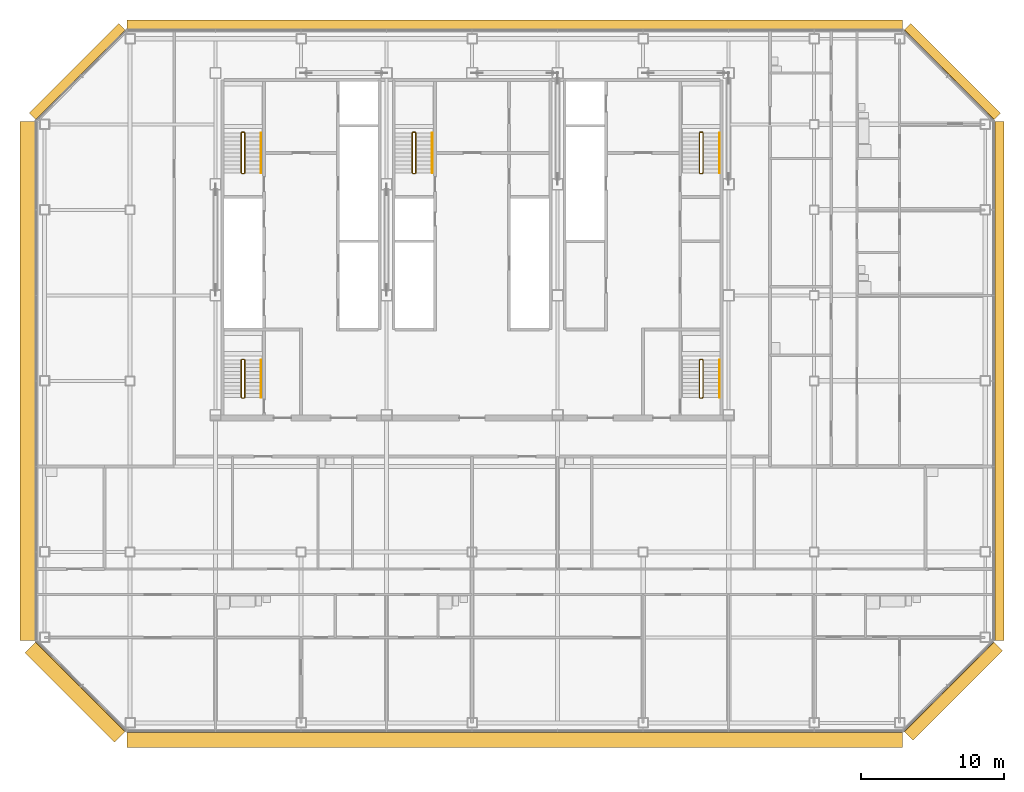
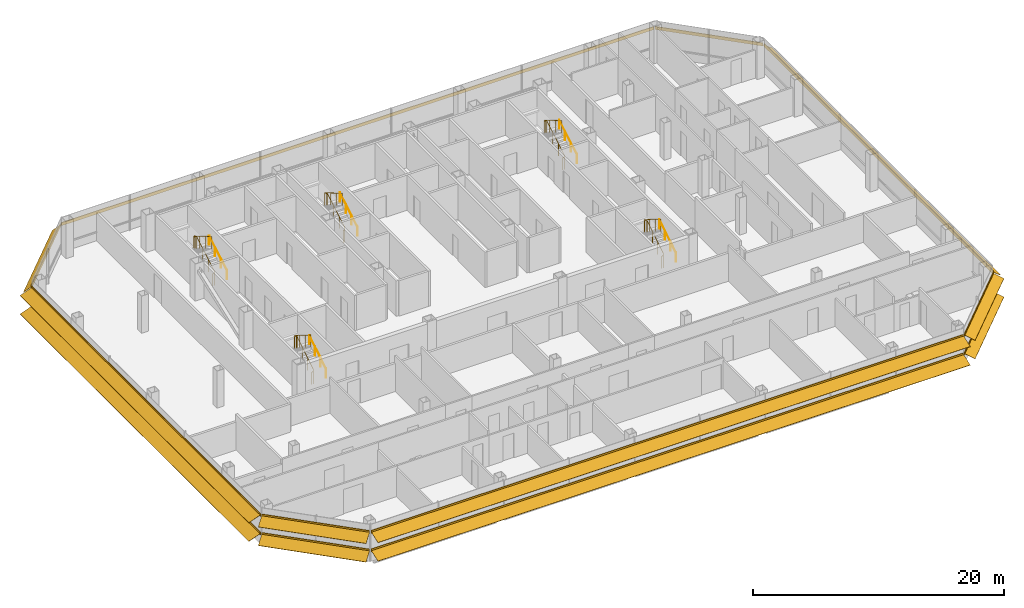
# One storey, part 25 of 26: 10 railings, 8 shading devices.
"""IFC4 building model written with IfcOpenShell, lengths in metres."""

import ifcopenshell
import ifcopenshell.guid

model = None  # the IFC model being written
_history = None  # IfcOwnerHistory: only IFC2X3 demands one
_inside = {}  # id of a spatial element -> (the spatial element, [elements in it])
_under = {}  # id of a project, library or spatial element -> (it, [spatial elements below it])
_declared = {}  # id of a project -> (the project, [libraries it declares])
_typed = {}  # id of a type object -> (the type object, [elements of that type])
_made_of = {}  # id of a material, layer set ... -> (it, [elements and type objects made of it])


def new_model(schema):
    """Start an empty IFC model of exactly this schema.

    Asked for "IFC4X3", IfcOpenShell would pick the latest addendum, in which some entities
    have other attributes; the version numbers below select the first issue.
    IFC2X3 requires an IfcOwnerHistory on every rooted entity: one is made here for all.
    """
    global model, _history
    if schema == "IFC4X3":
        model = ifcopenshell.file(schema_version=(4, 3, 0, 0))
    else:
        model = ifcopenshell.file(schema=schema)
    _inside.clear()
    _under.clear()
    _declared.clear()
    _typed.clear()
    _made_of.clear()
    _history = None
    if model.schema == "IFC2X3":
        org = make("IfcOrganization", Name="unknown")
        user = make(
            "IfcPersonAndOrganization",
            ThePerson=make("IfcPerson", FamilyName="unknown"),
            TheOrganization=org,
        )
        app = make(
            "IfcApplication",
            ApplicationDeveloper=org,
            Version="unknown",
            ApplicationFullName="unknown",
            ApplicationIdentifier="unknown",
        )
        _history = make(
            "IfcOwnerHistory",
            OwningUser=user,
            OwningApplication=app,
            ChangeAction="ADDED",
            CreationDate=0,
        )
    return model


def make(cls, **values):
    """One entity of the class cls with the attributes given. An attribute that is None is left unset."""
    return model.create_entity(
        cls, **{name: value for name, value in values.items() if value is not None}
    )


def rooted(cls, **values):
    """An entity with a GlobalId (a new one), such as an element, a storey or a relation."""
    return make(cls, GlobalId=ifcopenshell.guid.new(), OwnerHistory=_history, **values)


def si_unit(unit_type, name, prefix=None):
    """IfcSIUnit, for example si_unit("LENGTHUNIT", "METRE", prefix="MILLI")."""
    return make("IfcSIUnit", UnitType=unit_type, Prefix=prefix, Name=name)


def assignment(units):
    """IfcUnitAssignment: the units of a project."""
    return None if units is None else make("IfcUnitAssignment", Units=units)


def point(xyz):
    """IfcCartesianPoint."""
    return None if xyz is None else make("IfcCartesianPoint", Coordinates=xyz)


def direction(xyz):
    """IfcDirection."""
    return None if xyz is None else make("IfcDirection", DirectionRatios=xyz)


def frame(location, z_axis=None, x_axis=None):
    """IfcAxis2Placement3D, a coordinate frame: its origin and axes. An axis left out is left unset."""
    return make(
        "IfcAxis2Placement3D",
        Location=point(location),
        Axis=direction(z_axis),
        RefDirection=direction(x_axis),
    )


def frame_2d(location, x_axis=None):
    """IfcAxis2Placement2D, a coordinate frame in the plane: its origin and x axis."""
    return make(
        "IfcAxis2Placement2D", Location=point(location), RefDirection=direction(x_axis)
    )


def origin():
    """The frame at (0, 0, 0) with its axes left unset."""
    return frame((0.0, 0.0, 0.0))


def origin_2d():
    """The frame at (0, 0) in the plane with its x axis left unset."""
    return frame_2d((0.0, 0.0))


def place(relative_to, where):
    """IfcLocalPlacement: puts the frame where relative to a parent placement (None: the world)."""
    return make(
        "IfcLocalPlacement", PlacementRelTo=relative_to, RelativePlacement=where
    )


def context(
    kind, dimensions, precision=None, world=None, true_north=None, identifier=None
):
    """IfcGeometricRepresentationContext, for example the 3D "Model" context."""
    return make(
        "IfcGeometricRepresentationContext",
        ContextIdentifier=identifier,
        ContextType=kind,
        CoordinateSpaceDimension=dimensions,
        Precision=precision,
        WorldCoordinateSystem=world,
        TrueNorth=true_north,
    )


def subcontext(parent, identifier, kind, view, scale=None):
    """IfcGeometricRepresentationSubContext, for example "Body" below "Model"."""
    return make(
        "IfcGeometricRepresentationSubContext",
        ContextIdentifier=identifier,
        ContextType=kind,
        ParentContext=parent,
        TargetScale=scale,
        TargetView=view,
    )


def project(units=None, contexts=None):
    """IfcProject with its units and contexts."""
    return rooted(
        "IfcProject",
        Name="project",
        RepresentationContexts=contexts,
        UnitsInContext=assignment(units),
    )


def spatial(cls, under=None, at=None, **own):
    """A site, building, storey or space (cls), placed at a placement, below another one or the project."""
    s = rooted(cls, ObjectPlacement=at, **own)
    if under is not None:
        _under.setdefault(under.id(), (under, []))[1].append(s)
    return s


def polyline(points):
    """IfcPolyline through the points."""
    return make("IfcPolyline", Points=[point(p) for p in points])


def profile(cls, at=None, kind="AREA", **sizes):
    """A parametric profile (cls). Its sizes go by their IFC names, for example OverallWidth=200.0."""
    return make(cls, ProfileType=kind, Position=at, **sizes)


def circle(**sizes):
    """IfcCircleProfileDef."""
    return profile("IfcCircleProfileDef", **sizes)


def outline(outer, holes=None, kind="AREA"):
    """IfcArbitraryClosedProfileDef: a profile drawn as a closed curve; with holes, ...WithVoids."""
    if holes is None:
        return make("IfcArbitraryClosedProfileDef", ProfileType=kind, OuterCurve=outer)
    return make(
        "IfcArbitraryProfileDefWithVoids",
        ProfileType=kind,
        OuterCurve=outer,
        InnerCurves=holes,
    )


def composite_profile(profiles, kind="AREA"):
    """IfcCompositeProfileDef: several profiles as one."""
    return make("IfcCompositeProfileDef", ProfileType=kind, Profiles=profiles)


def extrude(swept, where, along, depth):
    """IfcExtrudedAreaSolid: the profile swept, set in the frame where, extruded along a direction by depth."""
    return make(
        "IfcExtrudedAreaSolid",
        SweptArea=swept,
        Position=where,
        ExtrudedDirection=direction(along),
        Depth=depth,
    )


def shape(context_of_items, identifier, shape_type, items):
    """IfcShapeRepresentation: the items that make up one representation, for example the "Body"."""
    return make(
        "IfcShapeRepresentation",
        ContextOfItems=context_of_items,
        RepresentationIdentifier=identifier,
        RepresentationType=shape_type,
        Items=items,
    )


def material(Name=None, Category=None):
    """IfcMaterial."""
    return make("IfcMaterial", Name=Name, Category=Category)


def made_of(thing, what):
    """Note that an element or type object is made of a material, layer set ...; save() writes the relation."""
    if what is not None:
        _made_of.setdefault(what.id(), (what, []))[1].append(thing)
    return thing


def type_object(cls, material=None, **own):
    """A type object (cls), such as IfcWallType, which elements share."""
    return made_of(rooted(cls, **own), material)


def element(
    cls,
    number,
    at=None,
    inside=None,
    cuts=None,
    type_object=None,
    material=None,
    context=None,
    identifier="Body",
    shape_type=None,
    held_by="IfcProductDefinitionShape",
    body=None,
    shapes=None,
    **own,
):
    """One element of the class cls, such as IfcWall. Its Tag is "e" and its number.

    at: its placement. inside: the storey or other place that contains it. cuts: it is an
    opening in that element (IfcRelVoidsElement). A single representation is given by context,
    identifier, shape_type and body (its items); several are given by shapes. held_by: the class
    of the entity that holds the representations. save() writes the other relations.
    """
    e = rooted(cls, Tag="e%d" % number, ObjectPlacement=at, **own)
    if body is not None:
        shapes = [shape(context, identifier, shape_type, body)]
    if shapes is not None:
        e.Representation = make(held_by, Representations=shapes)
    if inside is not None:
        _inside.setdefault(inside.id(), (inside, []))[1].append(e)
    if cuts is not None:
        rooted(
            "IfcRelVoidsElement", RelatingBuildingElement=cuts, RelatedOpeningElement=e
        )
    if type_object is not None:
        _typed.setdefault(type_object.id(), (type_object, []))[1].append(e)
    return made_of(e, material)


def aggregate(whole, parts):
    """IfcRelAggregates: a whole, such as a stair, and the parts it consists of."""
    return rooted("IfcRelAggregates", RelatingObject=whole, RelatedObjects=parts)


def save(model, path):
    """Write the relations noted so far, then the file.

    IfcRelAggregates (storeys below a building ...), IfcRelContainedInSpatialStructure (elements
    in a storey), IfcRelDefinesByType, IfcRelAssociatesMaterial and IfcRelDeclares: one each for
    every whole, place, type object, material and project.
    """
    for whole, parts in _under.values():
        aggregate(whole, parts)
    for where, things in _inside.values():
        rooted(
            "IfcRelContainedInSpatialStructure",
            RelatedElements=things,
            RelatingStructure=where,
        )
    for kind, things in _typed.values():
        rooted("IfcRelDefinesByType", RelatedObjects=things, RelatingType=kind)
    for what, things in _made_of.values():
        rooted("IfcRelAssociatesMaterial", RelatedObjects=things, RelatingMaterial=what)
    for by, libraries in _declared.values():
        rooted("IfcRelDeclares", RelatingContext=by, RelatedDefinitions=libraries)
    model.write(path)


model = new_model("IFC4")

# Units and contexts
model_context = context("Model", 3, precision=1e-05, world=origin(), true_north=direction((0.0, 1.0)))
body_context = subcontext(model_context, "Body", "Model", "MODEL_VIEW")
ifc_project = project(units=[si_unit("LENGTHUNIT", "METRE"), si_unit("AREAUNIT", "SQUARE_METRE"), si_unit("VOLUMEUNIT", "CUBIC_METRE"), si_unit("PLANEANGLEUNIT", "RADIAN"), si_unit("MASSUNIT", "GRAM", prefix="KILO")], contexts=[model_context])

# Site, building, storey
site_placement = place(None, origin())
site = spatial("IfcSite", under=ifc_project, at=site_placement, CompositionType="ELEMENT")
building_placement = place(site_placement, origin())
building = spatial("IfcBuilding", under=site, at=building_placement, Name="Sorahane Residences", CompositionType="ELEMENT")
storey_placement = place(building_placement, frame((0.0, 0.0, 151.0)))
storey = spatial("IfcBuildingStorey", under=building, at=storey_placement, Name="L34", CompositionType="ELEMENT", Elevation=151.0)

# Shading devices
ifc_material_1 = material(Name="Terracotta anodised aluminium", Category="masonry")
shading_device_type_1 = type_object("IfcShadingDeviceType", Name="Louvre sunshade blade E terracotta aluminium 700", PredefinedType="JALOUSIE", material=ifc_material_1)
shading_device_1_placement = place(storey_placement, frame((60.60009765625, 5.801513671875, 2.699951171875), z_axis=(0.0, 1.0, 0.0), x_axis=(-1.0, 0.0, 0.0)))
element("IfcShadingDevice", 1, at=shading_device_1_placement, inside=storey, type_object=shading_device_type_1, Name="Louvre sunshade blade bank E L34 E1", PredefinedType="JALOUSIE", context=body_context, shape_type="SweptSolid", body=[
    extrude(outline(polyline([(-0.719970703125, -0.49365234375), (-0.719970703125, -0.523681640625), (-0.080078125, -0.05859375), (-0.080078125, -0.14990234375), (-0.02001953125, -0.14990234375), (-0.02001953125, -0.014892578125), (-0.02001953125, 0.014892578125), (-0.02001953125, 0.14990234375), (-0.080078125, 0.14990234375), (-0.080078125, -0.028564453125), (-0.719970703125, -0.49365234375)])), origin(), (0.0, 0.0, 1.0), 36.39697265625),
])
ifc_material_2 = material(Name="Terracotta anodised aluminium", Category="masonry")
shading_device_type_2 = type_object("IfcShadingDeviceType", Name="Louvre sunshade blade N terracotta aluminium 700", PredefinedType="JALOUSIE", material=ifc_material_2)
shading_device_2_placement = place(storey_placement, frame((54.198486328125, 48.60009765625, 2.699951171875), z_axis=(-1.0, 0.0, 0.0), x_axis=(0.0, -1.0, 0.0)))
element("IfcShadingDevice", 2, at=shading_device_2_placement, inside=storey, type_object=shading_device_type_2, Name="Louvre sunshade blade bank N L34 N1", PredefinedType="JALOUSIE", context=body_context, shape_type="SweptSolid", body=[
    extrude(outline(polyline([(-0.719970703125, -0.660888671875), (-0.719970703125, -0.69091796875), (-0.080078125, -0.072998046875), (-0.080078125, -0.14990234375), (-0.02001953125, -0.14990234375), (-0.02001953125, -0.014892578125), (-0.02001953125, 0.014892578125), (-0.02001953125, 0.14990234375), (-0.080078125, 0.14990234375), (-0.080078125, -0.04296875), (-0.719970703125, -0.660888671875)])), origin(), (0.0, 0.0, 1.0), 54.39697265625),
])
ifc_material_3 = material(Name="Terracotta anodised aluminium", Category="masonry")
shading_device_type_3 = type_object("IfcShadingDeviceType", Name="Louvre sunshade blade NE terracotta aluminium 700", PredefinedType="JALOUSIE", material=ifc_material_3)
shading_device_3_placement = place(storey_placement, frame((60.564697265625, 42.283935546875, 2.699951171875), z_axis=(-0.707106781187, 0.707106781187, 0.0), x_axis=(-0.707106781187, -0.707106781187, 0.0)))
element("IfcShadingDevice", 3, at=shading_device_3_placement, inside=storey, type_object=shading_device_type_3, Name="Louvre sunshade blade bank NE L34 NE1", PredefinedType="JALOUSIE", context=body_context, shape_type="SweptSolid", body=[
    extrude(outline(polyline([(-0.719970703125, -0.572509765625), (-0.719970703125, -0.602294921875), (-0.080078125, -0.065185546875), (-0.080078125, -0.14990234375), (-0.02001953125, -0.14990234375), (-0.02001953125, -0.014892578125), (-0.02001953125, 0.014892578125), (-0.02001953125, 0.14990234375), (-0.080078125, 0.14990234375), (-0.080078125, -0.035400390625), (-0.719970703125, -0.572509765625)])), origin(), (0.0, 0.0, 1.0), 8.88232421875),
])
ifc_material_4 = material(Name="Terracotta anodised aluminium", Category="masonry")
shading_device_type_4 = type_object("IfcShadingDeviceType", Name="Louvre sunshade blade NW terracotta aluminium 700", PredefinedType="JALOUSIE", material=ifc_material_4)
shading_device_4_placement = place(storey_placement, frame((-0.283935546875, 48.564697265625, 2.699951171875), z_axis=(-0.707106781187, -0.707106781187, 0.0), x_axis=(0.707106781187, -0.707106781187, 0.0)))
element("IfcShadingDevice", 4, at=shading_device_4_placement, inside=storey, type_object=shading_device_type_4, Name="Louvre sunshade blade bank NW L34 NW1", PredefinedType="JALOUSIE", context=body_context, shape_type="SweptSolid", body=[
    extrude(outline(polyline([(-0.719970703125, -0.660888671875), (-0.719970703125, -0.69091796875), (-0.080078125, -0.072998046875), (-0.080078125, -0.14990234375), (-0.02001953125, -0.14990234375), (-0.02001953125, -0.014892578125), (-0.02001953125, 0.014892578125), (-0.02001953125, 0.14990234375), (-0.080078125, 0.14990234375), (-0.080078125, -0.04296875), (-0.719970703125, -0.660888671875)])), origin(), (0.0, 0.0, 1.0), 8.88232421875),
])
ifc_material_5 = material(Name="Terracotta anodised aluminium", Category="masonry")
shading_device_type_5 = type_object("IfcShadingDeviceType", Name="Louvre sunshade blade S terracotta aluminium 1100", PredefinedType="JALOUSIE", material=ifc_material_5)
shading_device_5_placement = place(storey_placement, frame((-0.198486328125, -0.60009765625, 0.89990234375), z_axis=(1.0, 0.0, 0.0), x_axis=(0.0, 1.0, 0.0)))
element("IfcShadingDevice", 5, at=shading_device_5_placement, inside=storey, type_object=shading_device_type_5, Name="Louvre sunshade blade bank S L34 S1", PredefinedType="JALOUSIE", context=body_context, shape_type="SweptSolid", body=[
    extrude(composite_profile([outline(polyline([(-1.1201171875, -0.385498046875), (-1.1201171875, -0.415283203125), (-0.080078125, -0.036865234375), (-0.080078125, -0.14990234375), (-0.02001953125, -0.14990234375), (-0.02001953125, -0.014892578125), (-0.02001953125, 0.014892578125), (-0.02001953125, 0.14990234375), (-0.080078125, 0.14990234375), (-0.080078125, -0.0068359375), (-1.1201171875, -0.385498046875)])), outline(polyline([(-1.1201171875, 1.41455078125), (-1.1201171875, 1.384521484375), (-0.080078125, 1.76318359375), (-0.080078125, 1.64990234375), (-0.02001953125, 1.64990234375), (-0.02001953125, 1.784912109375), (-0.02001953125, 1.81494140625), (-0.02001953125, 1.949951171875), (-0.080078125, 1.949951171875), (-0.080078125, 1.793212890625), (-1.1201171875, 1.41455078125)]))]), origin(), (0.0, 0.0, 1.0), 54.39697265625),
])
ifc_material_6 = material(Name="Terracotta anodised aluminium", Category="masonry")
shading_device_type_6 = type_object("IfcShadingDeviceType", Name="Louvre sunshade blade SE terracotta aluminium 900", PredefinedType="JALOUSIE", material=ifc_material_6)
shading_device_6_placement = place(storey_placement, frame((54.283935546875, -0.564697265625, 0.89990234375), z_axis=(0.707106781187, 0.707106781187, 0.0), x_axis=(-0.707106781187, 0.707106781187, 0.0)))
element("IfcShadingDevice", 6, at=shading_device_6_placement, inside=storey, type_object=shading_device_type_6, Name="Louvre sunshade blade bank SE L34 SE1", PredefinedType="JALOUSIE", context=body_context, shape_type="SweptSolid", body=[
    extrude(composite_profile([outline(polyline([(-0.919921875, -0.3486328125), (-0.919921875, -0.378662109375), (-0.080078125, -0.039306640625), (-0.080078125, -0.14990234375), (-0.02001953125, -0.14990234375), (-0.02001953125, -0.014892578125), (-0.02001953125, 0.014892578125), (-0.02001953125, 0.14990234375), (-0.080078125, 0.14990234375), (-0.080078125, -0.00927734375), (-0.919921875, -0.3486328125)])), outline(polyline([(-0.919921875, 1.451416015625), (-0.919921875, 1.42138671875), (-0.080078125, 1.7607421875), (-0.080078125, 1.64990234375), (-0.02001953125, 1.64990234375), (-0.02001953125, 1.784912109375), (-0.02001953125, 1.81494140625), (-0.02001953125, 1.949951171875), (-0.080078125, 1.949951171875), (-0.080078125, 1.790771484375), (-0.919921875, 1.451416015625)]))]), origin(), (0.0, 0.0, 1.0), 8.88232421875),
])
ifc_material_7 = material(Name="Terracotta anodised aluminium", Category="masonry")
shading_device_type_7 = type_object("IfcShadingDeviceType", Name="Louvre sunshade blade SW terracotta aluminium 1100", PredefinedType="JALOUSIE", material=ifc_material_7)
shading_device_7_placement = place(storey_placement, frame((-6.564697265625, 5.716064453125, 0.89990234375), z_axis=(0.707106781187, -0.707106781187, 0.0), x_axis=(0.707106781187, 0.707106781187, 0.0)))
element("IfcShadingDevice", 7, at=shading_device_7_placement, inside=storey, type_object=shading_device_type_7, Name="Louvre sunshade blade bank SW L34 SW1", PredefinedType="JALOUSIE", context=body_context, shape_type="SweptSolid", body=[
    extrude(composite_profile([outline(polyline([(-1.1201171875, -0.385498046875), (-1.1201171875, -0.415283203125), (-0.080078125, -0.036865234375), (-0.080078125, -0.14990234375), (-0.02001953125, -0.14990234375), (-0.02001953125, -0.014892578125), (-0.02001953125, 0.014892578125), (-0.02001953125, 0.14990234375), (-0.080078125, 0.14990234375), (-0.080078125, -0.0068359375), (-1.1201171875, -0.385498046875)])), outline(polyline([(-1.1201171875, 1.41455078125), (-1.1201171875, 1.384521484375), (-0.080078125, 1.76318359375), (-0.080078125, 1.64990234375), (-0.02001953125, 1.64990234375), (-0.02001953125, 1.784912109375), (-0.02001953125, 1.81494140625), (-0.02001953125, 1.949951171875), (-0.080078125, 1.949951171875), (-0.080078125, 1.793212890625), (-1.1201171875, 1.41455078125)]))]), origin(), (0.0, 0.0, 1.0), 8.88232421875),
])
ifc_material_8 = material(Name="Terracotta anodised aluminium", Category="masonry")
shading_device_type_8 = type_object("IfcShadingDeviceType", Name="Louvre sunshade blade W terracotta aluminium 1100", PredefinedType="JALOUSIE", material=ifc_material_8)
shading_device_8_placement = place(storey_placement, frame((-6.60009765625, 42.198486328125, 0.89990234375), z_axis=(0.0, -1.0, 0.0), x_axis=(1.0, 0.0, 0.0)))
element("IfcShadingDevice", 8, at=shading_device_8_placement, inside=storey, type_object=shading_device_type_8, Name="Louvre sunshade blade bank W L34 W1", PredefinedType="JALOUSIE", context=body_context, shape_type="SweptSolid", body=[
    extrude(composite_profile([outline(polyline([(-1.1201171875, -0.385498046875), (-1.1201171875, -0.415283203125), (-0.080078125, -0.036865234375), (-0.080078125, -0.14990234375), (-0.02001953125, -0.14990234375), (-0.02001953125, -0.014892578125), (-0.02001953125, 0.014892578125), (-0.02001953125, 0.14990234375), (-0.080078125, 0.14990234375), (-0.080078125, -0.0068359375), (-1.1201171875, -0.385498046875)])), outline(polyline([(-1.1201171875, 1.41455078125), (-1.1201171875, 1.384521484375), (-0.080078125, 1.76318359375), (-0.080078125, 1.64990234375), (-0.02001953125, 1.64990234375), (-0.02001953125, 1.784912109375), (-0.02001953125, 1.81494140625), (-0.02001953125, 1.949951171875), (-0.080078125, 1.949951171875), (-0.080078125, 1.793212890625), (-1.1201171875, 1.41455078125)]))]), origin(), (0.0, 0.0, 1.0), 36.39697265625),
])

# Railings
ifc_material_9 = material(Name="Steel Q355B", Category="steel")
railing_type_1 = type_object("IfcRailingType", Name="Stair guard 1200 Steel Q355B", PredefinedType="GUARDRAIL", material=ifc_material_9)
railing_1_placement = place(storey_placement, frame((7.85009765625, 38.550048828125, 0.0)))
element("IfcRailing", 9, at=railing_1_placement, inside=storey, type_object=railing_type_1, Name="L34 S1 stair guard 1", PredefinedType="GUARDRAIL", context=body_context, shape_type="SweptSolid", body=[
    extrude(circle(Radius=0.02392578125, at=origin_2d()), frame((0.0, 0.0, 1.17578125), z_axis=(1.0, 0.0, 0.0), x_axis=(0.0, 1.0, 0.0)), (0.0, 0.0, 1.0), 0.14990234375),
    extrude(circle(Radius=0.02392578125, at=origin_2d()), frame((0.14990234375, 0.0, 1.17578125), z_axis=(0.280808744504, 0.280808744504, 0.917765164963), x_axis=(-0.707106781187, 0.707106781187, 0.0)), (0.0, 0.0, 1.0), 0.17822265625),
    extrude(circle(Radius=0.02392578125, at=origin_2d()), frame((0.199951171875, 0.050048828125, 1.33935546875), z_axis=(0.0, 0.863341702679, 0.504619762213), x_axis=(-1.0, 0.0, 0.0)), (0.0, 0.0, 1.0), 3.242919921875),
    extrude(circle(Radius=0.02392578125, at=origin_2d()), frame((0.199951171875, 2.849853515625, 2.97607421875), z_axis=(-0.707106781187, 0.707106781187, 0.0), x_axis=(-0.707106781187, -0.707106781187, 0.0)), (0.0, 0.0, 1.0), 0.07080078125),
    extrude(circle(Radius=0.02392578125, at=origin_2d()), frame((0.14990234375, 2.89990234375, 2.97607421875), z_axis=(-1.0, 0.0, 0.0), x_axis=(0.0, -1.0, 0.0)), (0.0, 0.0, 1.0), 0.14990234375),
    extrude(circle(Radius=0.02392578125, at=origin_2d()), frame((0.0, 2.89990234375, 2.97607421875), z_axis=(-0.280808744504, -0.280808744504, 0.917765164963), x_axis=(0.707106781187, -0.707106781187, 0.0)), (0.0, 0.0, 1.0), 0.17822265625),
    extrude(circle(Radius=0.02392578125, at=origin_2d()), frame((-0.050048828125, 2.849853515625, 3.1396484375), z_axis=(0.0, -0.863341702679, 0.504619762213), x_axis=(1.0, 0.0, 0.0)), (0.0, 0.0, 1.0), 3.242919921875),
    extrude(circle(Radius=0.02099609375, at=origin_2d()), origin(), (0.0, 0.0, 1.0), 1.15185546875),
    extrude(circle(Radius=0.02099609375, at=origin_2d()), frame((0.14990234375, 0.0, 0.0)), (0.0, 0.0, 1.0), 1.15185546875),
    extrude(circle(Radius=0.02099609375, at=origin_2d()), frame((0.199951171875, 0.050048828125, 0.16357421875)), (0.0, 0.0, 1.0), 1.15185546875),
    extrude(circle(Radius=0.02099609375, at=origin_2d()), frame((0.199951171875, 0.9833984375, 0.708984375)), (0.0, 0.0, 1.0), 1.15185546875),
    extrude(circle(Radius=0.02099609375, at=origin_2d()), frame((0.199951171875, 1.91650390625, 1.254638671875)), (0.0, 0.0, 1.0), 1.15185546875),
    extrude(circle(Radius=0.02099609375, at=origin_2d()), frame((0.199951171875, 2.849853515625, 1.800048828125)), (0.0, 0.0, 1.0), 1.15185546875),
    extrude(circle(Radius=0.02099609375, at=origin_2d()), frame((0.14990234375, 2.89990234375, 1.800048828125)), (0.0, 0.0, 1.0), 1.15185546875),
    extrude(circle(Radius=0.02099609375, at=origin_2d()), frame((0.0, 2.89990234375, 1.800048828125)), (0.0, 0.0, 1.0), 1.15185546875),
    extrude(circle(Radius=0.02099609375, at=origin_2d()), frame((-0.050048828125, 2.849853515625, 1.963623046875)), (0.0, 0.0, 1.0), 1.15185546875),
    extrude(circle(Radius=0.02099609375, at=origin_2d()), frame((-0.050048828125, 1.91650390625, 2.509033203125)), (0.0, 0.0, 1.0), 1.15185546875),
    extrude(circle(Radius=0.02099609375, at=origin_2d()), frame((-0.050048828125, 0.9833984375, 3.0546875)), (0.0, 0.0, 1.0), 1.15185546875),
    extrude(circle(Radius=0.02099609375, at=origin_2d()), frame((-0.050048828125, 0.050048828125, 3.60009765625)), (0.0, 0.0, 1.0), 1.15185546875),
])
railing_2_placement = place(storey_placement, frame((40.0, 38.550048828125, 0.0)))
element("IfcRailing", 10, at=railing_2_placement, inside=storey, type_object=railing_type_1, Name="L34 S2 stair guard 1", PredefinedType="GUARDRAIL", context=body_context, shape_type="SweptSolid", body=[
    extrude(circle(Radius=0.02392578125, at=origin_2d()), frame((0.0, 0.0, 1.17578125), z_axis=(1.0, 0.0, 0.0), x_axis=(0.0, 1.0, 0.0)), (0.0, 0.0, 1.0), 0.14990234375),
    extrude(circle(Radius=0.02392578125, at=origin_2d()), frame((0.14990234375, 0.0, 1.17578125), z_axis=(0.280808744504, 0.280808744504, 0.917765164963), x_axis=(-0.707106781187, 0.707106781187, 0.0)), (0.0, 0.0, 1.0), 0.17822265625),
    extrude(circle(Radius=0.02392578125, at=origin_2d()), frame((0.199951171875, 0.050048828125, 1.33935546875), z_axis=(0.0, 0.863341702679, 0.504619762213), x_axis=(-1.0, 0.0, 0.0)), (0.0, 0.0, 1.0), 3.242919921875),
    extrude(circle(Radius=0.02392578125, at=origin_2d()), frame((0.199951171875, 2.849853515625, 2.97607421875), z_axis=(-0.707106781187, 0.707106781187, 0.0), x_axis=(-0.707106781187, -0.707106781187, 0.0)), (0.0, 0.0, 1.0), 0.07080078125),
    extrude(circle(Radius=0.02392578125, at=origin_2d()), frame((0.14990234375, 2.89990234375, 2.97607421875), z_axis=(-1.0, 0.0, 0.0), x_axis=(0.0, -1.0, 0.0)), (0.0, 0.0, 1.0), 0.14990234375),
    extrude(circle(Radius=0.02392578125, at=origin_2d()), frame((0.0, 2.89990234375, 2.97607421875), z_axis=(-0.280808744504, -0.280808744504, 0.917765164963), x_axis=(0.707106781187, -0.707106781187, 0.0)), (0.0, 0.0, 1.0), 0.17822265625),
    extrude(circle(Radius=0.02392578125, at=origin_2d()), frame((-0.050048828125, 2.849853515625, 3.1396484375), z_axis=(0.0, -0.863341702679, 0.504619762213), x_axis=(1.0, 0.0, 0.0)), (0.0, 0.0, 1.0), 3.242919921875),
    extrude(circle(Radius=0.02099609375, at=origin_2d()), origin(), (0.0, 0.0, 1.0), 1.15185546875),
    extrude(circle(Radius=0.02099609375, at=origin_2d()), frame((0.14990234375, 0.0, 0.0)), (0.0, 0.0, 1.0), 1.15185546875),
    extrude(circle(Radius=0.02099609375, at=origin_2d()), frame((0.199951171875, 0.050048828125, 0.16357421875)), (0.0, 0.0, 1.0), 1.15185546875),
    extrude(circle(Radius=0.02099609375, at=origin_2d()), frame((0.199951171875, 0.9833984375, 0.708984375)), (0.0, 0.0, 1.0), 1.15185546875),
    extrude(circle(Radius=0.02099609375, at=origin_2d()), frame((0.199951171875, 1.91650390625, 1.254638671875)), (0.0, 0.0, 1.0), 1.15185546875),
    extrude(circle(Radius=0.02099609375, at=origin_2d()), frame((0.199951171875, 2.849853515625, 1.800048828125)), (0.0, 0.0, 1.0), 1.15185546875),
    extrude(circle(Radius=0.02099609375, at=origin_2d()), frame((0.14990234375, 2.89990234375, 1.800048828125)), (0.0, 0.0, 1.0), 1.15185546875),
    extrude(circle(Radius=0.02099609375, at=origin_2d()), frame((0.0, 2.89990234375, 1.800048828125)), (0.0, 0.0, 1.0), 1.15185546875),
    extrude(circle(Radius=0.02099609375, at=origin_2d()), frame((-0.050048828125, 2.849853515625, 1.963623046875)), (0.0, 0.0, 1.0), 1.15185546875),
    extrude(circle(Radius=0.02099609375, at=origin_2d()), frame((-0.050048828125, 1.91650390625, 2.509033203125)), (0.0, 0.0, 1.0), 1.15185546875),
    extrude(circle(Radius=0.02099609375, at=origin_2d()), frame((-0.050048828125, 0.9833984375, 3.0546875)), (0.0, 0.0, 1.0), 1.15185546875),
    extrude(circle(Radius=0.02099609375, at=origin_2d()), frame((-0.050048828125, 0.050048828125, 3.60009765625)), (0.0, 0.0, 1.0), 1.15185546875),
])
railing_3_placement = place(storey_placement, frame((19.85009765625, 38.550048828125, 0.0)))
element("IfcRailing", 11, at=railing_3_placement, inside=storey, type_object=railing_type_1, Name="L34 S3 stair guard 1", PredefinedType="GUARDRAIL", context=body_context, shape_type="SweptSolid", body=[
    extrude(circle(Radius=0.02392578125, at=origin_2d()), frame((0.0, 0.0, 1.17578125), z_axis=(1.0, 0.0, 0.0), x_axis=(0.0, 1.0, 0.0)), (0.0, 0.0, 1.0), 0.14990234375),
    extrude(circle(Radius=0.02392578125, at=origin_2d()), frame((0.14990234375, 0.0, 1.17578125), z_axis=(0.280808744504, 0.280808744504, 0.917765164963), x_axis=(-0.707106781187, 0.707106781187, 0.0)), (0.0, 0.0, 1.0), 0.17822265625),
    extrude(circle(Radius=0.02392578125, at=origin_2d()), frame((0.199951171875, 0.050048828125, 1.33935546875), z_axis=(0.0, 0.863341702679, 0.504619762213), x_axis=(-1.0, 0.0, 0.0)), (0.0, 0.0, 1.0), 3.242919921875),
    extrude(circle(Radius=0.02392578125, at=origin_2d()), frame((0.199951171875, 2.849853515625, 2.97607421875), z_axis=(-0.707106781187, 0.707106781187, 0.0), x_axis=(-0.707106781187, -0.707106781187, 0.0)), (0.0, 0.0, 1.0), 0.07080078125),
    extrude(circle(Radius=0.02392578125, at=origin_2d()), frame((0.14990234375, 2.89990234375, 2.97607421875), z_axis=(-1.0, 0.0, 0.0), x_axis=(0.0, -1.0, 0.0)), (0.0, 0.0, 1.0), 0.14990234375),
    extrude(circle(Radius=0.02392578125, at=origin_2d()), frame((0.0, 2.89990234375, 2.97607421875), z_axis=(-0.280808744504, -0.280808744504, 0.917765164963), x_axis=(0.707106781187, -0.707106781187, 0.0)), (0.0, 0.0, 1.0), 0.17822265625),
    extrude(circle(Radius=0.02392578125, at=origin_2d()), frame((-0.050048828125, 2.849853515625, 3.1396484375), z_axis=(0.0, -0.863341702679, 0.504619762213), x_axis=(1.0, 0.0, 0.0)), (0.0, 0.0, 1.0), 3.242919921875),
    extrude(circle(Radius=0.02099609375, at=origin_2d()), origin(), (0.0, 0.0, 1.0), 1.15185546875),
    extrude(circle(Radius=0.02099609375, at=origin_2d()), frame((0.14990234375, 0.0, 0.0)), (0.0, 0.0, 1.0), 1.15185546875),
    extrude(circle(Radius=0.02099609375, at=origin_2d()), frame((0.199951171875, 0.050048828125, 0.16357421875)), (0.0, 0.0, 1.0), 1.15185546875),
    extrude(circle(Radius=0.02099609375, at=origin_2d()), frame((0.199951171875, 0.9833984375, 0.708984375)), (0.0, 0.0, 1.0), 1.15185546875),
    extrude(circle(Radius=0.02099609375, at=origin_2d()), frame((0.199951171875, 1.91650390625, 1.254638671875)), (0.0, 0.0, 1.0), 1.15185546875),
    extrude(circle(Radius=0.02099609375, at=origin_2d()), frame((0.199951171875, 2.849853515625, 1.800048828125)), (0.0, 0.0, 1.0), 1.15185546875),
    extrude(circle(Radius=0.02099609375, at=origin_2d()), frame((0.14990234375, 2.89990234375, 1.800048828125)), (0.0, 0.0, 1.0), 1.15185546875),
    extrude(circle(Radius=0.02099609375, at=origin_2d()), frame((0.0, 2.89990234375, 1.800048828125)), (0.0, 0.0, 1.0), 1.15185546875),
    extrude(circle(Radius=0.02099609375, at=origin_2d()), frame((-0.050048828125, 2.849853515625, 1.963623046875)), (0.0, 0.0, 1.0), 1.15185546875),
    extrude(circle(Radius=0.02099609375, at=origin_2d()), frame((-0.050048828125, 1.91650390625, 2.509033203125)), (0.0, 0.0, 1.0), 1.15185546875),
    extrude(circle(Radius=0.02099609375, at=origin_2d()), frame((-0.050048828125, 0.9833984375, 3.0546875)), (0.0, 0.0, 1.0), 1.15185546875),
    extrude(circle(Radius=0.02099609375, at=origin_2d()), frame((-0.050048828125, 0.050048828125, 3.60009765625)), (0.0, 0.0, 1.0), 1.15185546875),
])
railing_4_placement = place(storey_placement, frame((7.85009765625, 22.800048828125, 0.0)))
element("IfcRailing", 12, at=railing_4_placement, inside=storey, type_object=railing_type_1, Name="L34 S4 stair guard 1", PredefinedType="GUARDRAIL", context=body_context, shape_type="SweptSolid", body=[
    extrude(circle(Radius=0.02392578125, at=origin_2d()), frame((0.0, 0.0, 1.17578125), z_axis=(1.0, 0.0, 0.0), x_axis=(0.0, 1.0, 0.0)), (0.0, 0.0, 1.0), 0.14990234375),
    extrude(circle(Radius=0.02392578125, at=origin_2d()), frame((0.14990234375, 0.0, 1.17578125), z_axis=(0.280808744504, 0.280808744504, 0.917765164963), x_axis=(-0.707106781187, 0.707106781187, 0.0)), (0.0, 0.0, 1.0), 0.17822265625),
    extrude(circle(Radius=0.02392578125, at=origin_2d()), frame((0.199951171875, 0.050048828125, 1.33935546875), z_axis=(0.0, 0.846301844409, 0.532703658848), x_axis=(-1.0, 0.0, 0.0)), (0.0, 0.0, 1.0), 3.072021484375),
    extrude(circle(Radius=0.02392578125, at=origin_2d()), frame((0.199951171875, 2.64990234375, 2.97607421875), z_axis=(-0.707106781187, 0.707106781187, 0.0), x_axis=(-0.707106781187, -0.707106781187, 0.0)), (0.0, 0.0, 1.0), 0.07080078125),
    extrude(circle(Radius=0.02392578125, at=origin_2d()), frame((0.14990234375, 2.699951171875, 2.97607421875), z_axis=(-1.0, 0.0, 0.0), x_axis=(0.0, -1.0, 0.0)), (0.0, 0.0, 1.0), 0.14990234375),
    extrude(circle(Radius=0.02392578125, at=origin_2d()), frame((0.0, 2.699951171875, 2.97607421875), z_axis=(-0.280808744504, -0.280808744504, 0.917765164963), x_axis=(0.707106781187, -0.707106781187, 0.0)), (0.0, 0.0, 1.0), 0.17822265625),
    extrude(circle(Radius=0.02392578125, at=origin_2d()), frame((-0.050048828125, 2.64990234375, 3.1396484375), z_axis=(0.0, -0.846301844409, 0.532703658848), x_axis=(1.0, 0.0, 0.0)), (0.0, 0.0, 1.0), 3.072021484375),
    extrude(circle(Radius=0.02099609375, at=origin_2d()), origin(), (0.0, 0.0, 1.0), 1.15185546875),
    extrude(circle(Radius=0.02099609375, at=origin_2d()), frame((0.14990234375, 0.0, 0.0)), (0.0, 0.0, 1.0), 1.15185546875),
    extrude(circle(Radius=0.02099609375, at=origin_2d()), frame((0.199951171875, 0.050048828125, 0.16357421875)), (0.0, 0.0, 1.0), 1.15185546875),
    extrude(circle(Radius=0.02099609375, at=origin_2d()), frame((0.199951171875, 0.916748046875, 0.708984375)), (0.0, 0.0, 1.0), 1.15185546875),
    extrude(circle(Radius=0.02099609375, at=origin_2d()), frame((0.199951171875, 1.783203125, 1.254638671875)), (0.0, 0.0, 1.0), 1.15185546875),
    extrude(circle(Radius=0.02099609375, at=origin_2d()), frame((0.199951171875, 2.64990234375, 1.800048828125)), (0.0, 0.0, 1.0), 1.15185546875),
    extrude(circle(Radius=0.02099609375, at=origin_2d()), frame((0.14990234375, 2.699951171875, 1.800048828125)), (0.0, 0.0, 1.0), 1.15185546875),
    extrude(circle(Radius=0.02099609375, at=origin_2d()), frame((0.0, 2.699951171875, 1.800048828125)), (0.0, 0.0, 1.0), 1.15185546875),
    extrude(circle(Radius=0.02099609375, at=origin_2d()), frame((-0.050048828125, 2.64990234375, 1.963623046875)), (0.0, 0.0, 1.0), 1.15185546875),
    extrude(circle(Radius=0.02099609375, at=origin_2d()), frame((-0.050048828125, 1.783203125, 2.509033203125)), (0.0, 0.0, 1.0), 1.15185546875),
    extrude(circle(Radius=0.02099609375, at=origin_2d()), frame((-0.050048828125, 0.916748046875, 3.0546875)), (0.0, 0.0, 1.0), 1.15185546875),
    extrude(circle(Radius=0.02099609375, at=origin_2d()), frame((-0.050048828125, 0.050048828125, 3.60009765625)), (0.0, 0.0, 1.0), 1.15185546875),
])
railing_5_placement = place(storey_placement, frame((40.0, 22.800048828125, 0.0)))
element("IfcRailing", 13, at=railing_5_placement, inside=storey, type_object=railing_type_1, Name="L34 S5 stair guard 1", PredefinedType="GUARDRAIL", context=body_context, shape_type="SweptSolid", body=[
    extrude(circle(Radius=0.02392578125, at=origin_2d()), frame((0.0, 0.0, 1.17578125), z_axis=(1.0, 0.0, 0.0), x_axis=(0.0, 1.0, 0.0)), (0.0, 0.0, 1.0), 0.14990234375),
    extrude(circle(Radius=0.02392578125, at=origin_2d()), frame((0.14990234375, 0.0, 1.17578125), z_axis=(0.280808744504, 0.280808744504, 0.917765164963), x_axis=(-0.707106781187, 0.707106781187, 0.0)), (0.0, 0.0, 1.0), 0.17822265625),
    extrude(circle(Radius=0.02392578125, at=origin_2d()), frame((0.199951171875, 0.050048828125, 1.33935546875), z_axis=(0.0, 0.846301844409, 0.532703658848), x_axis=(-1.0, 0.0, 0.0)), (0.0, 0.0, 1.0), 3.072021484375),
    extrude(circle(Radius=0.02392578125, at=origin_2d()), frame((0.199951171875, 2.64990234375, 2.97607421875), z_axis=(-0.707106781187, 0.707106781187, 0.0), x_axis=(-0.707106781187, -0.707106781187, 0.0)), (0.0, 0.0, 1.0), 0.07080078125),
    extrude(circle(Radius=0.02392578125, at=origin_2d()), frame((0.14990234375, 2.699951171875, 2.97607421875), z_axis=(-1.0, 0.0, 0.0), x_axis=(0.0, -1.0, 0.0)), (0.0, 0.0, 1.0), 0.14990234375),
    extrude(circle(Radius=0.02392578125, at=origin_2d()), frame((0.0, 2.699951171875, 2.97607421875), z_axis=(-0.280808744504, -0.280808744504, 0.917765164963), x_axis=(0.707106781187, -0.707106781187, 0.0)), (0.0, 0.0, 1.0), 0.17822265625),
    extrude(circle(Radius=0.02392578125, at=origin_2d()), frame((-0.050048828125, 2.64990234375, 3.1396484375), z_axis=(0.0, -0.846301844409, 0.532703658848), x_axis=(1.0, 0.0, 0.0)), (0.0, 0.0, 1.0), 3.072021484375),
    extrude(circle(Radius=0.02099609375, at=origin_2d()), origin(), (0.0, 0.0, 1.0), 1.15185546875),
    extrude(circle(Radius=0.02099609375, at=origin_2d()), frame((0.14990234375, 0.0, 0.0)), (0.0, 0.0, 1.0), 1.15185546875),
    extrude(circle(Radius=0.02099609375, at=origin_2d()), frame((0.199951171875, 0.050048828125, 0.16357421875)), (0.0, 0.0, 1.0), 1.15185546875),
    extrude(circle(Radius=0.02099609375, at=origin_2d()), frame((0.199951171875, 0.916748046875, 0.708984375)), (0.0, 0.0, 1.0), 1.15185546875),
    extrude(circle(Radius=0.02099609375, at=origin_2d()), frame((0.199951171875, 1.783203125, 1.254638671875)), (0.0, 0.0, 1.0), 1.15185546875),
    extrude(circle(Radius=0.02099609375, at=origin_2d()), frame((0.199951171875, 2.64990234375, 1.800048828125)), (0.0, 0.0, 1.0), 1.15185546875),
    extrude(circle(Radius=0.02099609375, at=origin_2d()), frame((0.14990234375, 2.699951171875, 1.800048828125)), (0.0, 0.0, 1.0), 1.15185546875),
    extrude(circle(Radius=0.02099609375, at=origin_2d()), frame((0.0, 2.699951171875, 1.800048828125)), (0.0, 0.0, 1.0), 1.15185546875),
    extrude(circle(Radius=0.02099609375, at=origin_2d()), frame((-0.050048828125, 2.64990234375, 1.963623046875)), (0.0, 0.0, 1.0), 1.15185546875),
    extrude(circle(Radius=0.02099609375, at=origin_2d()), frame((-0.050048828125, 1.783203125, 2.509033203125)), (0.0, 0.0, 1.0), 1.15185546875),
    extrude(circle(Radius=0.02099609375, at=origin_2d()), frame((-0.050048828125, 0.916748046875, 3.0546875)), (0.0, 0.0, 1.0), 1.15185546875),
    extrude(circle(Radius=0.02099609375, at=origin_2d()), frame((-0.050048828125, 0.050048828125, 3.60009765625)), (0.0, 0.0, 1.0), 1.15185546875),
])
ifc_material_10 = material(Name="Steel Q355B", Category="steel")
railing_type_2 = type_object("IfcRailingType", Name="Stair handrail 900 Steel Q355B", PredefinedType="HANDRAIL", material=ifc_material_10)
for number, where, name in (
    (14, (9.199951171875, 38.60009765625, 0.16357421875), "L34 S1 stair handrail 1"),
    (15, (41.35009765625, 38.60009765625, 0.16357421875), "L34 S2 stair handrail 1"),
    (16, (21.199951171875, 38.60009765625, 0.16357421875), "L34 S3 stair handrail 1"),
):
    element("IfcRailing", number, at=place(storey_placement, frame(where)), inside=storey, type_object=railing_type_2, Name=name, PredefinedType="HANDRAIL", context=body_context, shape_type="SweptSolid", body=[
        extrude(circle(Radius=0.02392578125, at=origin_2d()), frame((0.0, 0.0, 0.8759765625), z_axis=(0.0, 0.863341702679, 0.504619762213), x_axis=(-1.0, 0.0, 0.0)), (0.0, 0.0, 1.0), 3.242919921875),
        extrude(circle(Radius=0.02099609375, at=origin_2d()), origin(), (0.0, 0.0, 1.0), 0.851806640625),
        extrude(circle(Radius=0.02099609375, at=origin_2d()), frame((0.0, 0.933349609375, 0.54541015625)), (0.0, 0.0, 1.0), 0.851806640625),
        extrude(circle(Radius=0.02099609375, at=origin_2d()), frame((0.0, 1.866455078125, 1.091064453125)), (0.0, 0.0, 1.0), 0.851806640625),
        extrude(circle(Radius=0.02099609375, at=origin_2d()), frame((0.0, 2.7998046875, 1.636474609375)), (0.0, 0.0, 1.0), 0.851806640625),
    ])
for number, where, name in (
    (17, (9.199951171875, 22.85009765625, 0.16357421875), "L34 S4 stair handrail 1"),
    (18, (41.35009765625, 22.85009765625, 0.16357421875), "L34 S5 stair handrail 1"),
):
    element("IfcRailing", number, at=place(storey_placement, frame(where)), inside=storey, type_object=railing_type_2, Name=name, PredefinedType="HANDRAIL", context=body_context, shape_type="SweptSolid", body=[
        extrude(circle(Radius=0.02392578125, at=origin_2d()), frame((0.0, 0.0, 0.8759765625), z_axis=(0.0, 0.846301844409, 0.532703658848), x_axis=(-1.0, 0.0, 0.0)), (0.0, 0.0, 1.0), 3.072021484375),
        extrude(circle(Radius=0.02099609375, at=origin_2d()), origin(), (0.0, 0.0, 1.0), 0.851806640625),
        extrude(circle(Radius=0.02099609375, at=origin_2d()), frame((0.0, 0.86669921875, 0.54541015625)), (0.0, 0.0, 1.0), 0.851806640625),
        extrude(circle(Radius=0.02099609375, at=origin_2d()), frame((0.0, 1.733154296875, 1.091064453125)), (0.0, 0.0, 1.0), 0.851806640625),
        extrude(circle(Radius=0.02099609375, at=origin_2d()), frame((0.0, 2.599853515625, 1.636474609375)), (0.0, 0.0, 1.0), 0.851806640625),
    ])

save(model, "model.ifc")
